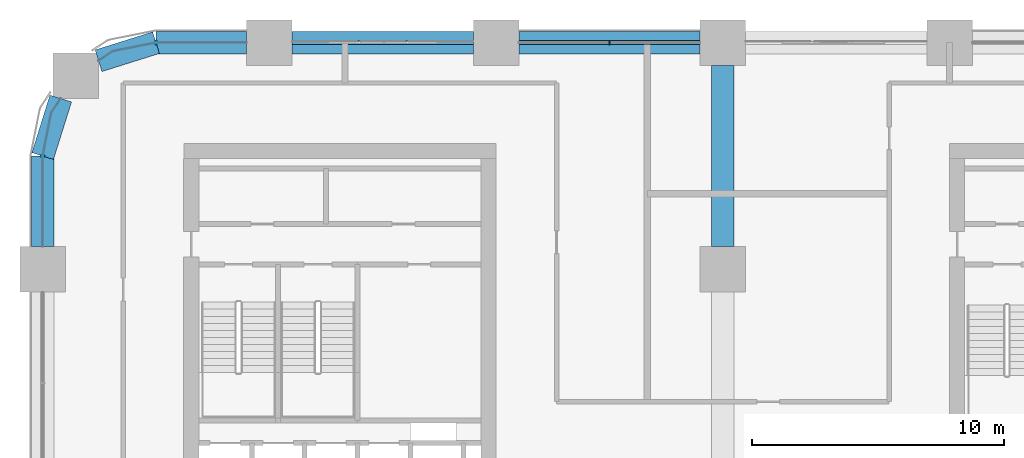
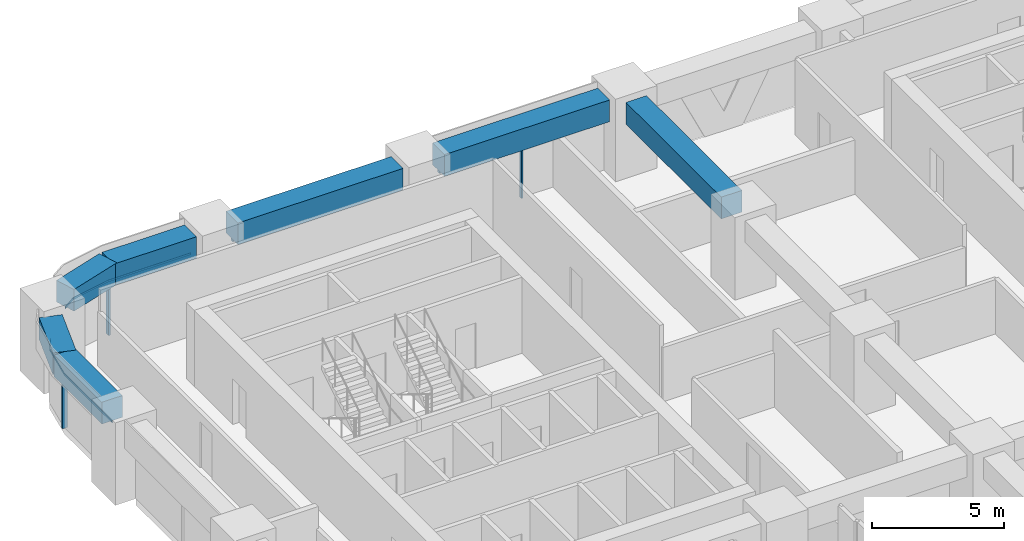
# One storey, part 8 of 24: 7 beams, 7 members, 4 elements without a shape of their own.
"""IFC4 building model written with IfcOpenShell, lengths in metres."""

from ifc_helpers import new_model, si_unit, direction, frame, origin, origin_2d, place, context, subcontext, project, spatial, polyline, rectangle, outline, extrude, material, material_profile, profile_set, type_object, element, aggregate, save


model = new_model("IFC4")

# Units and contexts
model_context = context("Model", 3, precision=1e-05, world=origin(), true_north=direction((0.0, 1.0)))
body_context = subcontext(model_context, "Body", "Model", "MODEL_VIEW")
ifc_project = project(units=[si_unit("LENGTHUNIT", "METRE"), si_unit("AREAUNIT", "SQUARE_METRE"), si_unit("VOLUMEUNIT", "CUBIC_METRE"), si_unit("PLANEANGLEUNIT", "RADIAN"), si_unit("MASSUNIT", "GRAM", prefix="KILO")], contexts=[model_context])

# Site, building, storey
site_placement = place(None, origin())
site = spatial("IfcSite", under=ifc_project, at=site_placement, CompositionType="ELEMENT")
building_placement = place(site_placement, origin())
building = spatial("IfcBuilding", under=site, at=building_placement, Name="Tessera Arch", CompositionType="ELEMENT")
storey_placement = place(building_placement, frame((0.0, 0.0, 38.60009765625)))
storey = spatial("IfcBuildingStorey", under=building, at=storey_placement, Name="L07", CompositionType="ELEMENT", Elevation=38.60009765625)

# Curtain wall, members
ifc_material_1 = material(Name="CW1 curtain wall")
curtain_wall_type_1 = type_object("IfcCurtainWallType", Name="CW1 curtain wall", PredefinedType="NOTDEFINED", material=ifc_material_1)
curtain_wall_1_placement = place(storey_placement, origin())
curtain_wall_1 = element("IfcCurtainWall", 1, at=curtain_wall_1_placement, inside=storey, type_object=curtain_wall_type_1, Name="CW1 curtain wall N54.0/3 L07", PredefinedType="NOTDEFINED")
ifc_material_2 = material(Name="Anodised aluminium pale metal", Category="aluminium")
ifc_material_profile_1 = material_profile(ifc_material_2, rectangle(XDim=0.159912109375, YDim=0.06005859375, at=origin_2d()), Name="AL 60x160")
ifc_profile_set_1 = profile_set([ifc_material_profile_1], Name="Anodised aluminium pale metal")
member_type_1 = type_object("IfcMemberType", Name="CW1 mullion", PredefinedType="MULLION", material=ifc_profile_set_1)
member_1_placement = place(storey_placement, frame((22.5, 54.0, 0.0), z_axis=(0.0, 0.0, 1.0), x_axis=(0.0, -1.0, 0.0)))
member_1 = element("IfcMember", 2, at=member_1_placement, type_object=member_type_1, Name="CW1 mullion N54.0/3 1", PredefinedType="MULLION", context=body_context, shape_type="SweptSolid", body=[
    extrude(rectangle(XDim=0.159912109375, YDim=0.06005859375, at=origin_2d()), origin(), (0.0, 0.0, 1.0), 2.39990234375),
])
ifc_material_3 = material(Name="Anodised aluminium pale metal", Category="aluminium")
ifc_material_profile_2 = material_profile(ifc_material_3, rectangle(XDim=0.159912109375, YDim=0.10009765625, at=origin_2d()), Name="AL 160x100")
ifc_profile_set_2 = profile_set([ifc_material_profile_2], Name="Anodised aluminium pale metal")
member_type_2 = type_object("IfcMemberType", Name="CW1 transom", PredefinedType="USERDEFINED", material=ifc_profile_set_2)
member_2_placement = place(storey_placement, frame((26.10009765625, 54.0, 2.449951171875), z_axis=(-1.0, 0.0, 0.0), x_axis=(0.0, -1.0, 0.0)))
member_2 = element("IfcMember", 3, at=member_2_placement, type_object=member_type_2, Name="CW1 transom N54.0/3 1.1", ObjectType="TRANSOM", PredefinedType="USERDEFINED", context=body_context, shape_type="SweptSolid", body=[
    extrude(rectangle(XDim=0.159912109375, YDim=0.10009765625, at=origin_2d()), origin(), (0.0, 0.0, 1.0), 7.2001953125),
])
aggregate(curtain_wall_1, [member_1, member_2])

# Curtain wall, member
ifc_material_4 = material(Name="CW2 curtain wall")
curtain_wall_type_2 = type_object("IfcCurtainWallType", Name="CW2 curtain wall", PredefinedType="NOTDEFINED", material=ifc_material_4)
curtain_wall_2_placement = place(storey_placement, origin())
curtain_wall_2 = element("IfcCurtainWall", 4, at=curtain_wall_2_placement, inside=storey, type_object=curtain_wall_type_2, Name="CW2 curtain wall N54.0/5 L07", PredefinedType="NOTDEFINED")
ifc_material_5 = material(Name="Anodised aluminium pale metal", Category="aluminium")
ifc_material_profile_3 = material_profile(ifc_material_5, rectangle(XDim=0.199951171875, YDim=0.080078125, at=origin_2d()), Name="AL 80x200")
ifc_profile_set_3 = profile_set([ifc_material_profile_3], Name="Anodised aluminium pale metal")
member_type_3 = type_object("IfcMemberType", Name="CW2 mullion", PredefinedType="MULLION", material=ifc_profile_set_3)
member_3_placement = place(storey_placement, frame((4.5, 54.0, 0.0), z_axis=(0.0, 0.0, 1.0), x_axis=(0.0, -1.0, 0.0)))
member_3 = element("IfcMember", 5, at=member_3_placement, type_object=member_type_3, Name="CW2 mullion N54.0/5 1", PredefinedType="MULLION", context=body_context, shape_type="SweptSolid", body=[
    extrude(rectangle(XDim=0.199951171875, YDim=0.080078125, at=origin_2d()), origin(), (0.0, 0.0, 1.0), 2.39990234375),
])

curtain_wall_3_placement = place(storey_placement, origin())
curtain_wall_3 = element("IfcCurtainWall", 6, at=curtain_wall_3_placement, inside=storey, type_object=curtain_wall_type_2, Name="CW2 curtain wall W0.0/0 L07", PredefinedType="NOTDEFINED")
member_4_placement = place(storey_placement, frame((0.0, 49.5, 0.0), z_axis=(0.0, 0.0, 1.0), x_axis=(1.0, 0.0, 0.0)))
member_4 = element("IfcMember", 7, at=member_4_placement, type_object=member_type_3, Name="CW2 mullion W0.0/0 1", PredefinedType="MULLION", context=body_context, shape_type="SweptSolid", body=[
    extrude(rectangle(XDim=0.199951171875, YDim=0.080078125, at=origin_2d()), origin(), (0.0, 0.0, 1.0), 2.39990234375),
])

# Member
ifc_material_6 = material(Name="Anodised aluminium pale metal", Category="aluminium")
ifc_material_profile_4 = material_profile(ifc_material_6, rectangle(XDim=0.199951171875, YDim=0.10009765625, at=origin_2d()), Name="AL 200x100")
ifc_profile_set_4 = profile_set([ifc_material_profile_4], Name="Anodised aluminium pale metal")
member_type_4 = type_object("IfcMemberType", Name="CW2 transom", PredefinedType="USERDEFINED", material=ifc_profile_set_4)
member_5_placement = place(storey_placement, frame((0.0, 0.0, 2.39990234375)))
member_5 = element("IfcMember", 8, at=member_5_placement, type_object=member_type_4, Name="CW2 transom N54.0/5 1", ObjectType="TRANSOM", PredefinedType="USERDEFINED", context=body_context, shape_type="SweptSolid", body=[
    extrude(outline(polyline([(4.5009765625, 53.989990234375), (8.10009765625, 53.989990234375), (8.10009765625, 54.010009765625), (4.4990234375, 54.010009765625), (2.77392578125, 53.6669921875), (2.21240234375, 53.29150390625), (2.2236328125, 53.27490234375), (2.78173828125, 53.648193359375), (4.5009765625, 53.989990234375)])), origin(), (0.0, 0.0, 1.0), 0.10009765625),
])

aggregate(curtain_wall_2, [member_3, member_5])

member_6_placement = place(storey_placement, frame((0.0, 0.0, 2.39990234375)))
member_6 = element("IfcMember", 9, at=member_6_placement, type_object=member_type_4, Name="CW2 transom W0.0/0 1", ObjectType="TRANSOM", PredefinedType="USERDEFINED", context=body_context, shape_type="SweptSolid", body=[
    extrude(outline(polyline([(0.351806640625, 51.21826171875), (0.72509765625, 51.7763671875), (0.70849609375, 51.78759765625), (0.3330078125, 51.22607421875), (-0.010009765625, 49.5009765625), (-0.010009765625, 45.89990234375), (0.010009765625, 45.89990234375), (0.010009765625, 49.4990234375), (0.351806640625, 51.21826171875)])), origin(), (0.0, 0.0, 1.0), 0.10009765625),
])

aggregate(curtain_wall_3, [member_4, member_6])

# Curtain wall, member
ifc_material_7 = material(Name="CW3 curtain wall")
curtain_wall_type_3 = type_object("IfcCurtainWallType", Name="CW3 curtain wall", PredefinedType="NOTDEFINED", material=ifc_material_7)
curtain_wall_4_placement = place(storey_placement, origin())
curtain_wall_4 = element("IfcCurtainWall", 10, at=curtain_wall_4_placement, inside=storey, type_object=curtain_wall_type_3, Name="CW3 curtain wall N54.0/4 L07", PredefinedType="NOTDEFINED")
ifc_material_8 = material(Name="Anodised aluminium pale metal", Category="aluminium")
ifc_material_profile_5 = material_profile(ifc_material_8, rectangle(XDim=0.139892578125, YDim=0.10009765625, at=origin_2d()), Name="AL 140x100")
ifc_profile_set_5 = profile_set([ifc_material_profile_5], Name="Anodised aluminium pale metal")
member_type_5 = type_object("IfcMemberType", Name="CW3 transom", PredefinedType="USERDEFINED", material=ifc_profile_set_5)
member_7_placement = place(storey_placement, frame((17.10009765625, 54.0, 2.449951171875), z_axis=(-1.0, 0.0, 0.0), x_axis=(0.0, -1.0, 0.0)))
member_7 = element("IfcMember", 11, at=member_7_placement, type_object=member_type_5, Name="CW3 transom N54.0/4 1.1", ObjectType="TRANSOM", PredefinedType="USERDEFINED", context=body_context, shape_type="SweptSolid", body=[
    extrude(rectangle(XDim=0.139892578125, YDim=0.10009765625, at=origin_2d()), origin(), (0.0, 0.0, 1.0), 7.2001953125),
])
aggregate(curtain_wall_4, [member_7])

# Beams
ifc_material_9 = material(Name="Concrete C80/95", Category="concrete")
ifc_material_profile_6 = material_profile(ifc_material_9, rectangle(XDim=0.89990234375, YDim=1.0, at=origin_2d()), Name="RC spandrel beam 900 x 1000 Concrete C80/95")
ifc_profile_set_6 = profile_set([ifc_material_profile_6], Name="Concrete C80/95")
beam_type = type_object("IfcBeamType", Name="RC spandrel beam 900 x 1000 Concrete C80/95", PredefinedType="BEAM", material=ifc_profile_set_6)
for number, where, z_axis, x_axis, name in (
    (12, (26.10009765625, 54.0, 3.0), (-1.0, 0.0, 0.0), (0.0, -1.0, 0.0), "Spandrel beam L07 N54.0/3"),
    (13, (17.10009765625, 54.0, 3.0), (-1.0, 0.0, 0.0), (0.0, -1.0, 0.0), "Spandrel beam L07 N54.0/4"),
):
    element("IfcBeam", number, at=place(storey_placement, frame(where, z_axis=z_axis, x_axis=x_axis)), inside=storey, type_object=beam_type, Name=name, PredefinedType="BEAM", context=body_context, shape_type="SweptSolid", body=[
        extrude(rectangle(XDim=0.89990234375, YDim=1.0, at=origin_2d()), origin(), (0.0, 0.0, 1.0), 7.2001953125),
    ])
beam_1_placement = place(storey_placement, frame((8.10009765625, 54.0, 3.0), z_axis=(-1.0, 0.0, 0.0), x_axis=(0.0, -1.0, 0.0)))
element("IfcBeam", 14, at=beam_1_placement, inside=storey, type_object=beam_type, Name="Spandrel beam L07 N54.0/5.1", PredefinedType="BEAM", context=body_context, shape_type="SweptSolid", body=[
    extrude(rectangle(XDim=0.89990234375, YDim=1.0, at=origin_2d()), origin(), (0.0, 0.0, 1.0), 3.60009765625),
])
for number, where, z_axis, x_axis, name in (
    (15, (4.5, 54.0, 3.0), (-0.954041251279, -0.299675309057, 0.0), (0.299675309057, -0.954041251279, 0.0), "Spandrel beam L07 N54.0/5.2"),
    (16, (0.716796875, 51.781982421875, 3.0), (-0.299675309057, -0.954041251279, 0.0), (0.954041251279, -0.299675309057, 0.0), "Spandrel beam L07 W0.0/0.1"),
):
    element("IfcBeam", number, at=place(storey_placement, frame(where, z_axis=z_axis, x_axis=x_axis)), inside=storey, type_object=beam_type, Name=name, PredefinedType="BEAM", context=body_context, shape_type="SweptSolid", body=[
        extrude(rectangle(XDim=0.89990234375, YDim=1.0, at=origin_2d()), origin(), (0.0, 0.0, 1.0), 2.391845703125),
    ])
beam_2_placement = place(storey_placement, frame((0.0, 49.5, 3.0), z_axis=(0.0, -1.0, 0.0), x_axis=(1.0, 0.0, 0.0)))
element("IfcBeam", 17, at=beam_2_placement, inside=storey, type_object=beam_type, Name="Spandrel beam L07 W0.0/0.2", PredefinedType="BEAM", context=body_context, shape_type="SweptSolid", body=[
    extrude(rectangle(XDim=0.89990234375, YDim=1.0, at=origin_2d()), origin(), (0.0, 0.0, 1.0), 3.60009765625),
])
beam_3_placement = place(storey_placement, frame((27.0, 45.89990234375, 3.0), z_axis=(0.0, 1.0, 0.0), x_axis=(-1.0, 0.0, 0.0)))
element("IfcBeam", 18, at=beam_3_placement, inside=storey, type_object=beam_type, Name="Interface beam L07 I0C4F-C4G", PredefinedType="BEAM", context=body_context, shape_type="SweptSolid", body=[
    extrude(rectangle(XDim=0.89990234375, YDim=1.0, at=origin_2d()), origin(), (0.0, 0.0, 1.0), 7.2001953125),
])

save(model, "model.ifc")
